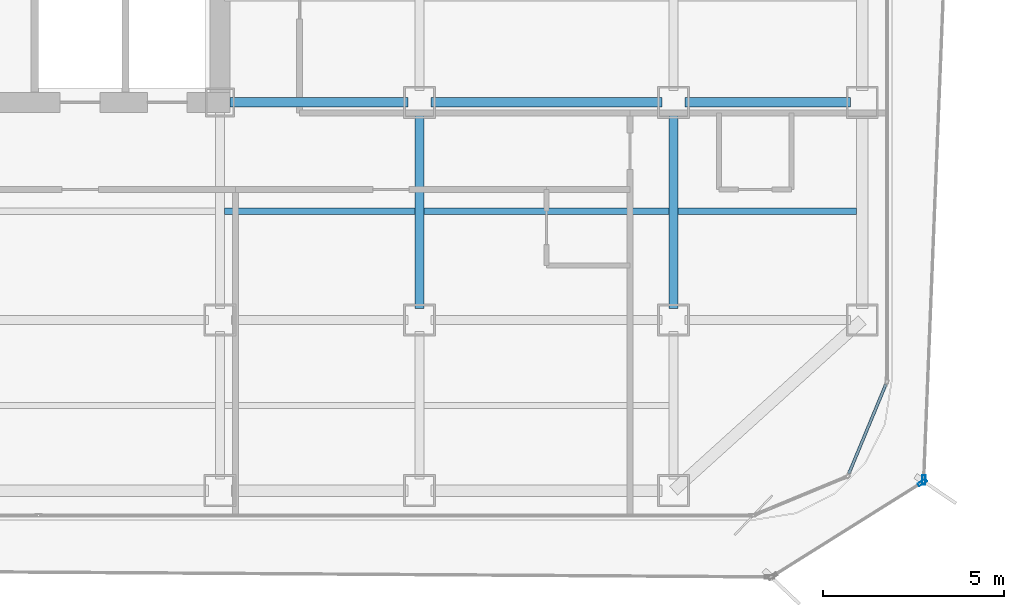
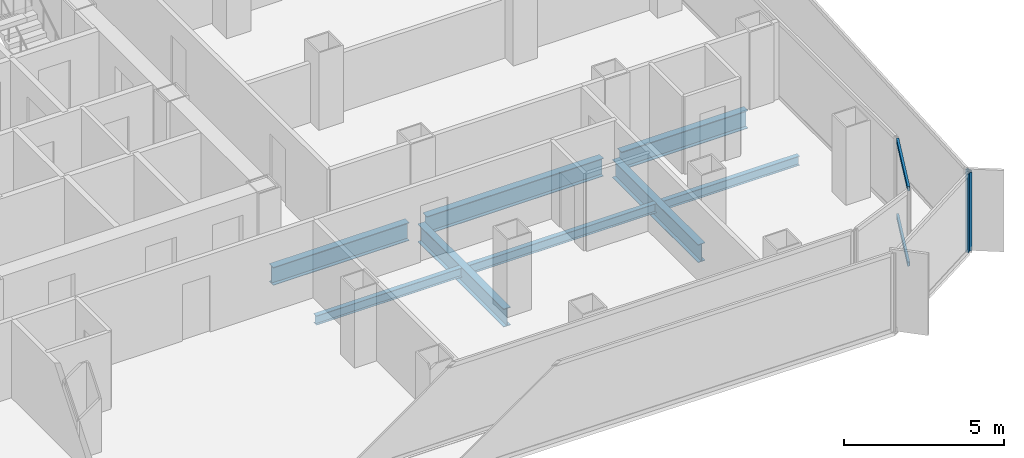
# One storey, part 7 of 21: 8 beams, 4 members, 3 elements without a shape of their own.
"""IFC4 building model written with IfcOpenShell, lengths in metres."""

import ifcopenshell
import ifcopenshell.guid

model = None  # the IFC model being written
_history = None  # IfcOwnerHistory: only IFC2X3 demands one
_inside = {}  # id of a spatial element -> (the spatial element, [elements in it])
_under = {}  # id of a project, library or spatial element -> (it, [spatial elements below it])
_declared = {}  # id of a project -> (the project, [libraries it declares])
_typed = {}  # id of a type object -> (the type object, [elements of that type])
_made_of = {}  # id of a material, layer set ... -> (it, [elements and type objects made of it])


def new_model(schema):
    """Start an empty IFC model of exactly this schema.

    Asked for "IFC4X3", IfcOpenShell would pick the latest addendum, in which some entities
    have other attributes; the version numbers below select the first issue.
    IFC2X3 requires an IfcOwnerHistory on every rooted entity: one is made here for all.
    """
    global model, _history
    if schema == "IFC4X3":
        model = ifcopenshell.file(schema_version=(4, 3, 0, 0))
    else:
        model = ifcopenshell.file(schema=schema)
    _inside.clear()
    _under.clear()
    _declared.clear()
    _typed.clear()
    _made_of.clear()
    _history = None
    if model.schema == "IFC2X3":
        org = make("IfcOrganization", Name="unknown")
        user = make(
            "IfcPersonAndOrganization",
            ThePerson=make("IfcPerson", FamilyName="unknown"),
            TheOrganization=org,
        )
        app = make(
            "IfcApplication",
            ApplicationDeveloper=org,
            Version="unknown",
            ApplicationFullName="unknown",
            ApplicationIdentifier="unknown",
        )
        _history = make(
            "IfcOwnerHistory",
            OwningUser=user,
            OwningApplication=app,
            ChangeAction="ADDED",
            CreationDate=0,
        )
    return model


def make(cls, **values):
    """One entity of the class cls with the attributes given. An attribute that is None is left unset."""
    return model.create_entity(
        cls, **{name: value for name, value in values.items() if value is not None}
    )


def rooted(cls, **values):
    """An entity with a GlobalId (a new one), such as an element, a storey or a relation."""
    return make(cls, GlobalId=ifcopenshell.guid.new(), OwnerHistory=_history, **values)


def si_unit(unit_type, name, prefix=None):
    """IfcSIUnit, for example si_unit("LENGTHUNIT", "METRE", prefix="MILLI")."""
    return make("IfcSIUnit", UnitType=unit_type, Prefix=prefix, Name=name)


def assignment(units):
    """IfcUnitAssignment: the units of a project."""
    return None if units is None else make("IfcUnitAssignment", Units=units)


def point(xyz):
    """IfcCartesianPoint."""
    return None if xyz is None else make("IfcCartesianPoint", Coordinates=xyz)


def direction(xyz):
    """IfcDirection."""
    return None if xyz is None else make("IfcDirection", DirectionRatios=xyz)


def frame(location, z_axis=None, x_axis=None):
    """IfcAxis2Placement3D, a coordinate frame: its origin and axes. An axis left out is left unset."""
    return make(
        "IfcAxis2Placement3D",
        Location=point(location),
        Axis=direction(z_axis),
        RefDirection=direction(x_axis),
    )


def frame_2d(location, x_axis=None):
    """IfcAxis2Placement2D, a coordinate frame in the plane: its origin and x axis."""
    return make(
        "IfcAxis2Placement2D", Location=point(location), RefDirection=direction(x_axis)
    )


def origin():
    """The frame at (0, 0, 0) with its axes left unset."""
    return frame((0.0, 0.0, 0.0))


def origin_2d():
    """The frame at (0, 0) in the plane with its x axis left unset."""
    return frame_2d((0.0, 0.0))


def place(relative_to, where):
    """IfcLocalPlacement: puts the frame where relative to a parent placement (None: the world)."""
    return make(
        "IfcLocalPlacement", PlacementRelTo=relative_to, RelativePlacement=where
    )


def context(
    kind, dimensions, precision=None, world=None, true_north=None, identifier=None
):
    """IfcGeometricRepresentationContext, for example the 3D "Model" context."""
    return make(
        "IfcGeometricRepresentationContext",
        ContextIdentifier=identifier,
        ContextType=kind,
        CoordinateSpaceDimension=dimensions,
        Precision=precision,
        WorldCoordinateSystem=world,
        TrueNorth=true_north,
    )


def subcontext(parent, identifier, kind, view, scale=None):
    """IfcGeometricRepresentationSubContext, for example "Body" below "Model"."""
    return make(
        "IfcGeometricRepresentationSubContext",
        ContextIdentifier=identifier,
        ContextType=kind,
        ParentContext=parent,
        TargetScale=scale,
        TargetView=view,
    )


def project(units=None, contexts=None):
    """IfcProject with its units and contexts."""
    return rooted(
        "IfcProject",
        Name="project",
        RepresentationContexts=contexts,
        UnitsInContext=assignment(units),
    )


def spatial(cls, under=None, at=None, **own):
    """A site, building, storey or space (cls), placed at a placement, below another one or the project."""
    s = rooted(cls, ObjectPlacement=at, **own)
    if under is not None:
        _under.setdefault(under.id(), (under, []))[1].append(s)
    return s


def profile(cls, at=None, kind="AREA", **sizes):
    """A parametric profile (cls). Its sizes go by their IFC names, for example OverallWidth=200.0."""
    return make(cls, ProfileType=kind, Position=at, **sizes)


def hollow_rectangle(**sizes):
    """IfcRectangleHollowProfileDef."""
    return profile("IfcRectangleHollowProfileDef", **sizes)


def i_section(**sizes):
    """IfcIShapeProfileDef."""
    return profile("IfcIShapeProfileDef", **sizes)


def extrude(swept, where, along, depth):
    """IfcExtrudedAreaSolid: the profile swept, set in the frame where, extruded along a direction by depth."""
    return make(
        "IfcExtrudedAreaSolid",
        SweptArea=swept,
        Position=where,
        ExtrudedDirection=direction(along),
        Depth=depth,
    )


def shape(context_of_items, identifier, shape_type, items):
    """IfcShapeRepresentation: the items that make up one representation, for example the "Body"."""
    return make(
        "IfcShapeRepresentation",
        ContextOfItems=context_of_items,
        RepresentationIdentifier=identifier,
        RepresentationType=shape_type,
        Items=items,
    )


def source(mapping_origin, context_of_items, identifier, shape_type, items):
    """IfcRepresentationMap: a shape defined once, which mapped items show again and again."""
    return make(
        "IfcRepresentationMap",
        MappingOrigin=mapping_origin,
        MappedRepresentation=shape(context_of_items, identifier, shape_type, items),
    )


def transform(
    local_origin,
    x_axis=None,
    y_axis=None,
    z_axis=None,
    scale=None,
    scale2=None,
    scale3=None,
    uniform=True,
):
    """IfcCartesianTransformationOperator3D, or its non-uniform kind. x_axis, y_axis, z_axis: its Axis1, 2, 3."""
    if uniform:
        return make(
            "IfcCartesianTransformationOperator3D",
            Axis1=direction(x_axis),
            Axis2=direction(y_axis),
            LocalOrigin=point(local_origin),
            Scale=scale,
            Axis3=direction(z_axis),
        )
    return make(
        "IfcCartesianTransformationOperator3DnonUniform",
        Axis1=direction(x_axis),
        Axis2=direction(y_axis),
        LocalOrigin=point(local_origin),
        Scale=scale,
        Axis3=direction(z_axis),
        Scale2=scale2,
        Scale3=scale3,
    )


def mapped(mapping_source, mapping_target):
    """IfcMappedItem: shows the shape of a source again, moved by a transform."""
    return make(
        "IfcMappedItem", MappingSource=mapping_source, MappingTarget=mapping_target
    )


def material(Name=None, Category=None):
    """IfcMaterial."""
    return make("IfcMaterial", Name=Name, Category=Category)


def layer(
    of_material, thickness, ventilated=None, Name=None, Category=None, Priority=None
):
    """IfcMaterialLayer: one layer of a wall or slab, of a material (None: an air gap)."""
    return make(
        "IfcMaterialLayer",
        Material=of_material,
        LayerThickness=thickness,
        IsVentilated=ventilated,
        Name=Name,
        Category=Category,
        Priority=Priority,
    )


def layer_set(layers, Name=None):
    """IfcMaterialLayerSet."""
    return make("IfcMaterialLayerSet", MaterialLayers=layers, LayerSetName=Name)


def material_profile(
    of_material, cross_section, Name=None, Category=None, Priority=None
):
    """IfcMaterialProfile: a cross section and its material."""
    return make(
        "IfcMaterialProfile",
        Name=Name,
        Material=of_material,
        Profile=cross_section,
        Priority=Priority,
        Category=Category,
    )


def profile_set(profiles, Name=None, composite=None):
    """IfcMaterialProfileSet."""
    return make(
        "IfcMaterialProfileSet",
        Name=Name,
        MaterialProfiles=profiles,
        CompositeProfile=composite,
    )


def made_of(thing, what):
    """Note that an element or type object is made of a material, layer set ...; save() writes the relation."""
    if what is not None:
        _made_of.setdefault(what.id(), (what, []))[1].append(thing)
    return thing


def type_object(cls, material=None, **own):
    """A type object (cls), such as IfcWallType, which elements share."""
    return made_of(rooted(cls, **own), material)


def element(
    cls,
    number,
    at=None,
    inside=None,
    cuts=None,
    type_object=None,
    material=None,
    context=None,
    identifier="Body",
    shape_type=None,
    held_by="IfcProductDefinitionShape",
    body=None,
    shapes=None,
    **own,
):
    """One element of the class cls, such as IfcWall. Its Tag is "e" and its number.

    at: its placement. inside: the storey or other place that contains it. cuts: it is an
    opening in that element (IfcRelVoidsElement). A single representation is given by context,
    identifier, shape_type and body (its items); several are given by shapes. held_by: the class
    of the entity that holds the representations. save() writes the other relations.
    """
    e = rooted(cls, Tag="e%d" % number, ObjectPlacement=at, **own)
    if body is not None:
        shapes = [shape(context, identifier, shape_type, body)]
    if shapes is not None:
        e.Representation = make(held_by, Representations=shapes)
    if inside is not None:
        _inside.setdefault(inside.id(), (inside, []))[1].append(e)
    if cuts is not None:
        rooted(
            "IfcRelVoidsElement", RelatingBuildingElement=cuts, RelatedOpeningElement=e
        )
    if type_object is not None:
        _typed.setdefault(type_object.id(), (type_object, []))[1].append(e)
    return made_of(e, material)


def aggregate(whole, parts):
    """IfcRelAggregates: a whole, such as a stair, and the parts it consists of."""
    return rooted("IfcRelAggregates", RelatingObject=whole, RelatedObjects=parts)


def save(model, path):
    """Write the relations noted so far, then the file.

    IfcRelAggregates (storeys below a building ...), IfcRelContainedInSpatialStructure (elements
    in a storey), IfcRelDefinesByType, IfcRelAssociatesMaterial and IfcRelDeclares: one each for
    every whole, place, type object, material and project.
    """
    for whole, parts in _under.values():
        aggregate(whole, parts)
    for where, things in _inside.values():
        rooted(
            "IfcRelContainedInSpatialStructure",
            RelatedElements=things,
            RelatingStructure=where,
        )
    for kind, things in _typed.values():
        rooted("IfcRelDefinesByType", RelatedObjects=things, RelatingType=kind)
    for what, things in _made_of.values():
        rooted("IfcRelAssociatesMaterial", RelatedObjects=things, RelatingMaterial=what)
    for by, libraries in _declared.values():
        rooted("IfcRelDeclares", RelatingContext=by, RelatedDefinitions=libraries)
    model.write(path)


model = new_model("IFC4")

# Units and contexts
model_context = context("Model", 3, precision=1e-05, world=origin(), true_north=direction((0.0, 1.0)))
body_context = subcontext(model_context, "Body", "Model", "MODEL_VIEW")
ifc_project = project(units=[si_unit("LENGTHUNIT", "METRE"), si_unit("AREAUNIT", "SQUARE_METRE"), si_unit("VOLUMEUNIT", "CUBIC_METRE"), si_unit("PLANEANGLEUNIT", "RADIAN"), si_unit("MASSUNIT", "GRAM", prefix="KILO")], contexts=[model_context])

# Site, building, storey
site_placement = place(None, origin())
site = spatial("IfcSite", under=ifc_project, at=site_placement, CompositionType="ELEMENT")
building_placement = place(site_placement, origin())
building = spatial("IfcBuilding", under=site, at=building_placement, Name="Kolveth Station Tower", CompositionType="ELEMENT")
storey_placement = place(building_placement, frame((0.0, 0.0, 121.5)))
storey = spatial("IfcBuildingStorey", under=building, at=storey_placement, Name="L33", CompositionType="ELEMENT", Elevation=121.5)

# Beams
ifc_material_1 = material(Name="Steel S355", Category="steel")
ifc_material_profile_1 = material_profile(ifc_material_1, i_section(OverallWidth=0.25390625, OverallDepth=0.68798828125, WebThickness=0.01318359375, FlangeThickness=0.02099609375, at=origin_2d()), Name="W690x152")
ifc_profile_set_1 = profile_set([ifc_material_profile_1], Name="Steel S355")
beam_type_1 = type_object("IfcBeamType", Name="Beam_B4", PredefinedType="BEAM", material=ifc_profile_set_1)
shared_shape_1 = source(origin(), body_context, "Body", "SweptSolid", [
    extrude(i_section(OverallWidth=0.25390625, OverallDepth=0.68798828125, WebThickness=0.01318359375, FlangeThickness=0.02099609375, at=origin_2d()), origin(), (0.0, 0.0, 1.0), 4.559814453125),
])
beam_1_placement = place(storey_placement, frame((41.320068359375, 11.5, -0.593994140625), z_axis=(1.0, 0.0, 0.0), x_axis=(0.0, 1.0, 0.0)))
element("IfcBeam", 1, at=beam_1_placement, inside=storey, type_object=beam_type_1, Name="L33 Primary Girder BM-L33-GY115-7", PredefinedType="BEAM", context=body_context, shape_type="MappedRepresentation", body=[
    mapped(shared_shape_1, transform((0.0, 0.0, 0.0), x_axis=(1.0, 0.0, 0.0), y_axis=(0.0, 1.0, 0.0), z_axis=(0.0, 0.0, 1.0), scale=1.0)),
])
shared_shape_2 = source(origin(), body_context, "Body", "SweptSolid", [
    extrude(i_section(OverallWidth=0.25390625, OverallDepth=0.68798828125, WebThickness=0.01318359375, FlangeThickness=0.02099609375, at=origin_2d()), origin(), (0.0, 0.0, 1.0), 6.35986328125),
])
beam_2_placement = place(storey_placement, frame((34.320068359375, 11.5, -0.593994140625), z_axis=(1.0, 0.0, 0.0), x_axis=(0.0, 1.0, 0.0)))
element("IfcBeam", 2, at=beam_2_placement, inside=storey, type_object=beam_type_1, Name="L33 Primary Girder BM-L33-GY115-6", PredefinedType="BEAM", context=body_context, shape_type="MappedRepresentation", body=[
    mapped(shared_shape_2, transform((0.0, 0.0, 0.0), x_axis=(1.0, 0.0, 0.0), y_axis=(0.0, 1.0, 0.0), z_axis=(0.0, 0.0, 1.0), scale=1.0)),
])
shared_shape_3 = source(origin(), body_context, "Body", "SweptSolid", [
    extrude(i_section(OverallWidth=0.25390625, OverallDepth=0.68798828125, WebThickness=0.01318359375, FlangeThickness=0.02099609375, at=origin_2d()), origin(), (0.0, 0.0, 1.0), 4.89990234375),
])
beam_3_placement = place(storey_placement, frame((28.780029296875, 11.5, -0.593994140625), z_axis=(1.0, 0.0, 0.0), x_axis=(0.0, 1.0, 0.0)))
element("IfcBeam", 3, at=beam_3_placement, inside=storey, type_object=beam_type_1, Name="L33 Primary Girder BM-L33-GY115-5", PredefinedType="BEAM", context=body_context, shape_type="MappedRepresentation", body=[
    mapped(shared_shape_3, transform((0.0, 0.0, 0.0), x_axis=(1.0, 0.0, 0.0), y_axis=(0.0, 1.0, 0.0), z_axis=(0.0, 0.0, 1.0), scale=1.0)),
])
shared_shape_4 = source(origin(), body_context, "Body", "SweptSolid", [
    extrude(i_section(OverallWidth=0.25390625, OverallDepth=0.68798828125, WebThickness=0.01318359375, FlangeThickness=0.02099609375, at=origin_2d()), origin(), (0.0, 0.0, 1.0), 5.35986328125),
])
for number, where, z_axis, x_axis, name in (
    (4, (34.0, 5.820068359375, -0.593994140625), (0.0, 1.0, 0.0), (-1.0, 0.0, 0.0), "L33 Primary Girder BM-L33-GX340-2"),
    (5, (41.0, 5.820068359375, -0.593994140625), (0.0, 1.0, 0.0), (-1.0, 0.0, 0.0), "L33 Primary Girder BM-L33-GX410-2"),
):
    element("IfcBeam", number, at=place(storey_placement, frame(where, z_axis=z_axis, x_axis=x_axis)), inside=storey, type_object=beam_type_1, Name=name, PredefinedType="BEAM", context=body_context, shape_type="MappedRepresentation", body=[
        mapped(shared_shape_4, transform((0.0, 0.0, 0.0), x_axis=(1.0, 0.0, 0.0), y_axis=(0.0, 1.0, 0.0), z_axis=(0.0, 0.0, 1.0), scale=1.0)),
    ])
ifc_material_profile_2 = material_profile(ifc_material_1, i_section(OverallWidth=0.1708984375, OverallDepth=0.35205078125, WebThickness=0.0068359375, FlangeThickness=0.009765625, at=origin_2d()), Name="W360x44")
ifc_profile_set_2 = profile_set([ifc_material_profile_2], Name="Steel S355")
beam_type_2 = type_object("IfcBeamType", Name="Beam_J2", PredefinedType="JOIST", material=ifc_profile_set_2)
shared_shape_5 = source(origin(), body_context, "Body", "SweptSolid", [
    extrude(i_section(OverallWidth=0.1708984375, OverallDepth=0.35205078125, WebThickness=0.0068359375, FlangeThickness=0.009765625, at=origin_2d()), origin(), (0.0, 0.0, 1.0), 4.9150390625),
])
beam_4_placement = place(storey_placement, frame((41.125, 8.5, -0.426025390625), z_axis=(1.0, 0.0, 0.0), x_axis=(0.0, 1.0, 0.0)))
element("IfcBeam", 6, at=beam_4_placement, inside=storey, type_object=beam_type_2, Name="L33 Secondary Joist JST-L33-7-2", PredefinedType="JOIST", context=body_context, shape_type="MappedRepresentation", body=[
    mapped(shared_shape_5, transform((0.0, 0.0, 0.0), x_axis=(1.0, 0.0, 0.0), y_axis=(0.0, 1.0, 0.0), z_axis=(0.0, 0.0, 1.0), scale=1.0)),
])
shared_shape_6 = source(origin(), body_context, "Body", "SweptSolid", [
    extrude(i_section(OverallWidth=0.1708984375, OverallDepth=0.35205078125, WebThickness=0.0068359375, FlangeThickness=0.009765625, at=origin_2d()), origin(), (0.0, 0.0, 1.0), 6.75),
])
beam_5_placement = place(storey_placement, frame((34.125, 8.5, -0.426025390625), z_axis=(1.0, 0.0, 0.0), x_axis=(0.0, 1.0, 0.0)))
element("IfcBeam", 7, at=beam_5_placement, inside=storey, type_object=beam_type_2, Name="L33 Secondary Joist JST-L33-6-2", PredefinedType="JOIST", context=body_context, shape_type="MappedRepresentation", body=[
    mapped(shared_shape_6, transform((0.0, 0.0, 0.0), x_axis=(1.0, 0.0, 0.0), y_axis=(0.0, 1.0, 0.0), z_axis=(0.0, 0.0, 1.0), scale=1.0)),
])
shared_shape_7 = source(origin(), body_context, "Body", "SweptSolid", [
    extrude(i_section(OverallWidth=0.1708984375, OverallDepth=0.35205078125, WebThickness=0.0068359375, FlangeThickness=0.009765625, at=origin_2d()), origin(), (0.0, 0.0, 1.0), 5.25),
])
beam_6_placement = place(storey_placement, frame((28.625, 8.5, -0.426025390625), z_axis=(1.0, 0.0, 0.0), x_axis=(0.0, 1.0, 0.0)))
element("IfcBeam", 8, at=beam_6_placement, inside=storey, type_object=beam_type_2, Name="L33 Secondary Joist JST-L33-5-2", PredefinedType="JOIST", context=body_context, shape_type="MappedRepresentation", body=[
    mapped(shared_shape_7, transform((0.0, 0.0, 0.0), x_axis=(1.0, 0.0, 0.0), y_axis=(0.0, 1.0, 0.0), z_axis=(0.0, 0.0, 1.0), scale=1.0)),
])

# Curtain wall, members
ifc_material_2 = material(Name="Aluminium 6063-T6 and low-E dark glass", Category="aluminium")
ifc_layer_1 = layer(ifc_material_2, 0.18994140625)
ifc_layer_set_1 = layer_set([ifc_layer_1], Name="Aluminium 6063-T6 and low-E dark glass")
curtain_wall_type_1 = type_object("IfcCurtainWallType", Name="CurtainWall_CW-Z2", PredefinedType="NOTDEFINED", material=ifc_layer_set_1)
curtain_wall_1_placement = place(storey_placement, origin())
curtain_wall_1 = element("IfcCurtainWall", 9, at=curtain_wall_1_placement, inside=storey, type_object=curtain_wall_type_1, Name="L33 Inner Thermal Curtain Wall 2", PredefinedType="NOTDEFINED")
ifc_material_3 = material(Name="Black anodized aluminium 6063-T6", Category="aluminium")
ifc_material_profile_3 = material_profile(ifc_material_3, hollow_rectangle(XDim=0.080078125, YDim=0.169921875, WallThickness=0.0048828125, at=origin_2d()), Name="ALU-80x170x5")
ifc_profile_set_3 = profile_set([ifc_material_profile_3], Name="Black anodized aluminium 6063-T6")
member_type_1 = type_object("IfcMemberType", Name="Transom_TR2", PredefinedType="USERDEFINED", material=ifc_profile_set_3)
shared_shape_8 = source(origin(), body_context, "Body", "SweptSolid", [
    extrude(hollow_rectangle(XDim=0.080078125, YDim=0.169921875, WallThickness=0.0048828125, at=origin_2d()), origin(), (0.0, 0.0, 1.0), 2.656494140625),
])
member_1_placement = place(storey_placement, frame((45.832763671875, 1.271728515625, 0.0400390625), z_axis=(0.382676455475, 0.923882422403, 0.0), x_axis=(-0.923882422403, 0.382676455475, 0.0)))
member_1 = element("IfcMember", 10, at=member_1_placement, type_object=member_type_1, Name="CW-Z2 transom 1.1", ObjectType="TRANSOM", PredefinedType="USERDEFINED", context=body_context, shape_type="MappedRepresentation", body=[
    mapped(shared_shape_8, transform((0.0, 0.0, 0.0), x_axis=(1.0, 0.0, 0.0), y_axis=(0.0, 1.0, 0.0), z_axis=(0.0, 0.0, 1.0), scale=1.0)),
])
member_2_placement = place(storey_placement, frame((45.832763671875, 1.271728515625, 2.909912109375), z_axis=(0.382676455475, 0.923882422403, 0.0), x_axis=(-0.923882422403, 0.382676455475, 0.0)))
member_2 = element("IfcMember", 11, at=member_2_placement, type_object=member_type_1, Name="CW-Z2 transom 1.2", ObjectType="TRANSOM", PredefinedType="USERDEFINED", context=body_context, shape_type="MappedRepresentation", body=[
    mapped(shared_shape_8, transform((0.0, 0.0, 0.0), x_axis=(1.0, 0.0, 0.0), y_axis=(0.0, 1.0, 0.0), z_axis=(0.0, 0.0, 1.0), scale=1.0)),
])
aggregate(curtain_wall_1, [member_1, member_2])

# Curtain wall, member
ifc_material_4 = material(Name="Black anodized aluminium 6063-T6 and dark solar glass", Category="aluminium")
ifc_layer_2 = layer(ifc_material_4, 0.159912109375)
ifc_layer_set_2 = layer_set([ifc_layer_2], Name="Black anodized aluminium 6063-T6 and dark solar glass")
curtain_wall_type_2 = type_object("IfcCurtainWallType", Name="OUTER SKIN CW-OS", PredefinedType="NOTDEFINED", material=ifc_layer_set_2)
curtain_wall_2_placement = place(storey_placement, origin())
curtain_wall_2 = element("IfcCurtainWall", 12, at=curtain_wall_2_placement, inside=storey, type_object=curtain_wall_type_2, Name="L33 Outer Ventilated Skin Curtain Wall 1", PredefinedType="NOTDEFINED")
ifc_material_profile_4 = material_profile(ifc_material_3, hollow_rectangle(XDim=0.090087890625, YDim=0.260009765625, WallThickness=0.0048828125, at=origin_2d()), Name="ALU-90x260x5")
ifc_profile_set_4 = profile_set([ifc_material_profile_4], Name="Black anodized aluminium 6063-T6")
member_type_2 = type_object("IfcMemberType", Name="FIN MULLION ML-OS", PredefinedType="MULLION", material=ifc_profile_set_4)
shared_shape_9 = source(origin(), body_context, "Body", "SweptSolid", [
    extrude(hollow_rectangle(XDim=0.090087890625, YDim=0.260009765625, WallThickness=0.0048828125, at=origin_2d()), origin(), (0.0, 0.0, 1.0), 2.989990234375),
])
member_3_placement = place(storey_placement, frame((47.857421875, 1.02685546875, 0.0), z_axis=(0.0, 0.0, 1.0), x_axis=(-0.530935742658, 0.847412082265, 0.0)))
member_3 = element("IfcMember", 13, at=member_3_placement, type_object=member_type_2, Name="CW-OS mullion 2", PredefinedType="MULLION", context=body_context, shape_type="MappedRepresentation", body=[
    mapped(shared_shape_9, transform((0.0, 0.0, 0.0), x_axis=(1.0, 0.0, 0.0), y_axis=(0.0, 1.0, 0.0), z_axis=(0.0, 0.0, 1.0), scale=1.0)),
])
aggregate(curtain_wall_2, [member_3])

curtain_wall_3_placement = place(storey_placement, origin())
curtain_wall_3 = element("IfcCurtainWall", 14, at=curtain_wall_3_placement, inside=storey, type_object=curtain_wall_type_2, Name="L33 Outer Ventilated Skin Curtain Wall 2", PredefinedType="NOTDEFINED")
member_4_placement = place(storey_placement, frame((47.8974609375, 1.095703125, 0.0), z_axis=(0.0, 0.0, 1.0), x_axis=(-0.999183518417, 0.040401689619, 0.0)))
member_4 = element("IfcMember", 15, at=member_4_placement, type_object=member_type_2, Name="CW-OS mullion 1", PredefinedType="MULLION", context=body_context, shape_type="MappedRepresentation", body=[
    mapped(shared_shape_9, transform((0.0, 0.0, 0.0), x_axis=(1.0, 0.0, 0.0), y_axis=(0.0, 1.0, 0.0), z_axis=(0.0, 0.0, 1.0), scale=1.0)),
])
aggregate(curtain_wall_3, [member_4])

save(model, "model.ifc")
